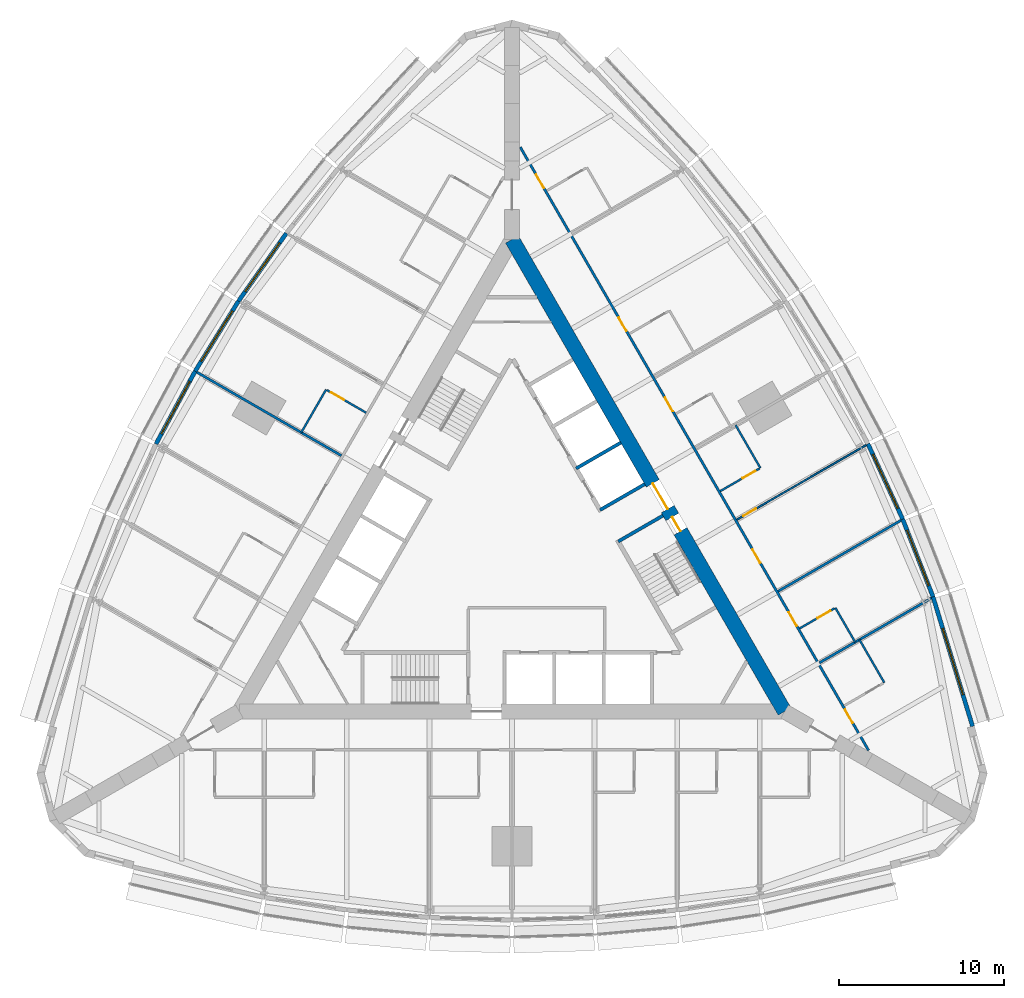
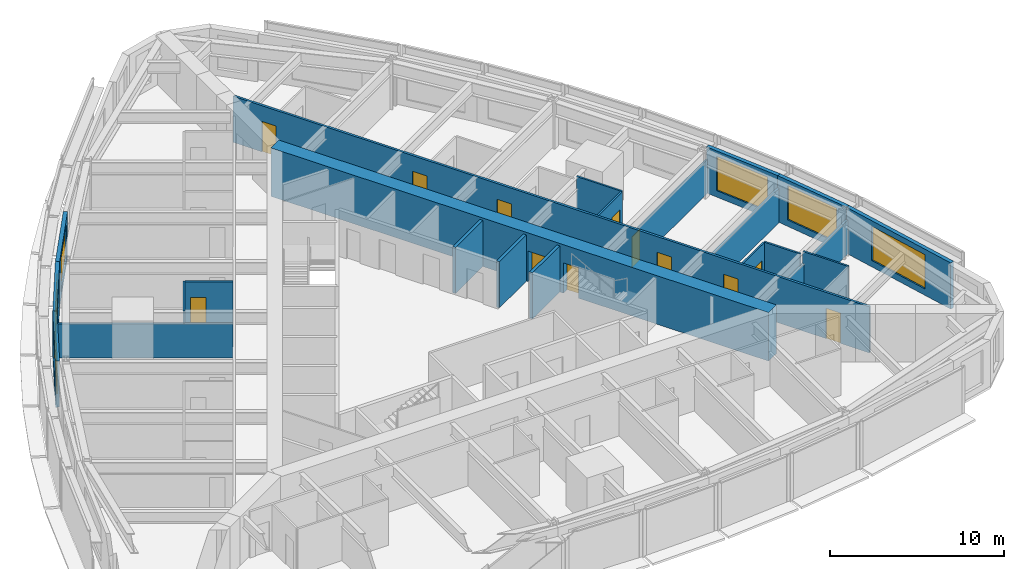
# One storey, part 11 of 14: 22 walls, 12 doors, 6 windows, 18 openings.
"""IFC4 building model written with IfcOpenShell, lengths in metres."""

from ifc_helpers import new_model, si_unit, direction, frame, frame_2d, origin, place, context, subcontext, project, spatial, rectangle, extrude, material, layer, layer_set, type_object, element, fill, save


model = new_model("IFC4")

# Units and contexts
model_context = context("Model", 3, precision=1e-05, world=origin(), true_north=direction((0.0, 1.0)))
body_context = subcontext(model_context, "Body", "Model", "MODEL_VIEW")
ifc_project = project(units=[si_unit("LENGTHUNIT", "METRE"), si_unit("AREAUNIT", "SQUARE_METRE"), si_unit("VOLUMEUNIT", "CUBIC_METRE"), si_unit("PLANEANGLEUNIT", "RADIAN"), si_unit("MASSUNIT", "GRAM", prefix="KILO")], contexts=[model_context])

# Site, building, storey
site_placement = place(None, origin())
site = spatial("IfcSite", under=ifc_project, at=site_placement, CompositionType="ELEMENT")
building_placement = place(site_placement, origin())
building = spatial("IfcBuilding", under=site, at=building_placement, Name="Trikona Tower", CompositionType="ELEMENT")
storey_placement = place(building_placement, frame((0.0, 0.0, 86.300048828125)))
storey = spatial("IfcBuildingStorey", under=building, at=storey_placement, Name="L22", CompositionType="ELEMENT", Elevation=86.300048828125)

# Walls
ifc_material_1 = material(Name="Metal stud and cement board", Category="gypsum")
ifc_layer_1 = layer(ifc_material_1, 0.1201171875)
ifc_layer_set_1 = layer_set([ifc_layer_1], Name="Bathroom wall 120")
wall_type_1 = type_object("IfcWallType", Name="Bathroom wall 120", PredefinedType="PLUMBINGWALL", material=ifc_layer_set_1)
wall_1_placement = place(storey_placement, frame((22.53271484375, -7.775390625, 0.0), z_axis=(0.0, 0.0, 1.0), x_axis=(-0.499990139034, 0.866031096941, 0.0)))
element("IfcWall", 1, at=wall_1_placement, inside=storey, type_object=wall_type_1, Name="Bathroom wall 2207", PredefinedType="PLUMBINGWALL", context=body_context, shape_type="SweptSolid", body=[
    extrude(rectangle(XDim=3.0, YDim=0.1201171875, at=frame_2d((1.5, 0.0))), origin(), (0.0, 0.0, 1.0), 3.23486328125),
])
wall_2_placement = place(storey_placement, frame((20.77294921875, -5.3271484375, 0.0), z_axis=(0.0, 0.0, 1.0), x_axis=(-0.500001309137, 0.866024647952, 0.0)))
element("IfcWall", 2, at=wall_2_placement, inside=storey, type_object=wall_type_1, Name="Bathroom wall 2208", PredefinedType="PLUMBINGWALL", context=body_context, shape_type="SweptSolid", body=[
    extrude(rectangle(XDim=2.39990234375, YDim=0.1201171875, at=frame_2d((1.199951171875, 0.0))), origin(), (0.0, 0.0, 1.0), 3.23486328125),
])

# Wall, opening, door
wall_3_placement = place(storey_placement, frame((17.407958984375, -4.498779296875, 0.0), z_axis=(0.0, 0.0, 1.0), x_axis=(0.866023955769, 0.500002508028, 0.0)))
wall_3 = element("IfcWall", 3, at=wall_3_placement, inside=storey, type_object=wall_type_1, Name="Bathroom wall 2208", PredefinedType="PLUMBINGWALL", context=body_context, shape_type="SweptSolid", body=[
    extrude(rectangle(XDim=2.43994140625, YDim=0.1201171875, at=frame_2d((1.219970703125, 0.0))), origin(), (0.0, 0.0, 1.0), 3.23486328125),
])
opening_1_placement = place(wall_3_placement, frame((1.25, 0.0, 0.0)))
opening_1 = element("IfcOpeningElement", 4, at=opening_1_placement, cuts=wall_3, Name="Opening D2", PredefinedType="OPENING", context=body_context, shape_type="SweptSolid", body=[
    extrude(rectangle(XDim=0.89990234375, YDim=2.1298828125, at=frame_2d((0.449951171875, 1.06494140625))), frame((0.0, 0.070068359375, 0.0), z_axis=(0.0, -1.0, 0.0), x_axis=(1.0, 0.0, 0.0)), (0.0, 0.0, 1.0), 0.14013671875),
])
ifc_material_2 = material(Name="Steel door frame with solid-core timber leaf", Category="steel")
door_type_1 = type_object("IfcDoorType", Name="Bathroom door 900x2130", OperationType="SLIDING_TO_LEFT", PredefinedType="DOOR", material=ifc_material_2)
door_1_placement = place(opening_1_placement, origin())
door_1 = element("IfcDoor", 5, at=door_1_placement, inside=storey, type_object=door_type_1, Name="Bathroom door 2208", OperationType="SLIDING_TO_LEFT", OverallHeight=2.1298828125, OverallWidth=0.89990234375, PredefinedType="DOOR", context=body_context, shape_type="SweptSolid", body=[
    extrude(rectangle(XDim=0.89990234375, YDim=2.1298828125, at=frame_2d((0.449951171875, 1.06494140625))), frame((0.0, 0.02490234375, 0.0), z_axis=(0.0, -1.0, 0.0), x_axis=(1.0, 0.0, 0.0)), (0.0, 0.0, 1.0), 0.050048828125),
])
fill(opening_1, door_1)

# Wall
wall_4_placement = place(storey_placement, frame((15.03271484375, 5.215087890625, 0.0), z_axis=(0.0, 0.0, 1.0), x_axis=(-0.50002537861, 0.866010750942, 0.0)))
element("IfcWall", 6, at=wall_4_placement, inside=storey, type_object=wall_type_1, Name="Bathroom wall 2209.1", PredefinedType="PLUMBINGWALL", context=body_context, shape_type="SweptSolid", body=[
    extrude(rectangle(XDim=2.999755859375, YDim=0.1201171875, at=frame_2d((1.5, 0.0))), origin(), (0.0, 0.0, 1.0), 3.23486328125),
])

# Wall, opening, door
wall_5_placement = place(storey_placement, frame((12.60791015625, 3.815185546875, 0.0), z_axis=(0.0, 0.0, 1.0), x_axis=(0.866035715982, 0.499982138324, 0.0)))
wall_5 = element("IfcWall", 7, at=wall_5_placement, inside=storey, type_object=wall_type_1, Name="Bathroom wall 2209.1", PredefinedType="PLUMBINGWALL", context=body_context, shape_type="SweptSolid", body=[
    extrude(rectangle(XDim=2.73974609375, YDim=0.1201171875, at=frame_2d((1.369873046875, 0.0))), origin(), (0.0, 0.0, 1.0), 3.23486328125),
])
opening_2_placement = place(wall_5_placement, frame((1.550048828125, 0.0, 0.0)))
opening_2 = element("IfcOpeningElement", 8, at=opening_2_placement, cuts=wall_5, Name="Opening D2", PredefinedType="OPENING", context=body_context, shape_type="SweptSolid", body=[
    extrude(rectangle(XDim=0.89990234375, YDim=2.1298828125, at=frame_2d((0.449951171875, 1.06494140625))), frame((0.0, 0.070068359375, 0.0), z_axis=(0.0, -1.0, 0.0), x_axis=(1.0, 0.0, 0.0)), (0.0, 0.0, 1.0), 0.14013671875),
])
door_2_placement = place(opening_2_placement, origin())
door_2 = element("IfcDoor", 9, at=door_2_placement, inside=storey, type_object=door_type_1, Name="Bathroom door 2209.1", OperationType="SLIDING_TO_LEFT", OverallHeight=2.1298828125, OverallWidth=0.89990234375, PredefinedType="DOOR", context=body_context, shape_type="SweptSolid", body=[
    extrude(rectangle(XDim=0.89990234375, YDim=2.1298828125, at=frame_2d((0.449951171875, 1.06494140625))), frame((0.0, 0.02490234375, 0.0), z_axis=(0.0, -1.0, 0.0), x_axis=(1.0, 0.0, 0.0)), (0.0, 0.0, 1.0), 0.050048828125),
])
fill(opening_2, door_2)

# Wall
wall_6_placement = place(storey_placement, frame((-11.25341796875, 9.961181640625, 0.0), z_axis=(0.0, 0.0, 1.0), x_axis=(-0.499990139034, -0.866031096941, 0.0)))
element("IfcWall", 10, at=wall_6_placement, inside=storey, type_object=wall_type_1, Name="Bathroom wall 2214.2", PredefinedType="PLUMBINGWALL", context=body_context, shape_type="SweptSolid", body=[
    extrude(rectangle(XDim=3.0, YDim=0.1201171875, at=frame_2d((1.5, 0.0))), origin(), (0.0, 0.0, 1.0), 3.23486328125),
])

# Wall, opening, door
wall_7_placement = place(storey_placement, frame((-8.82861328125, 8.561279296875, 0.0), z_axis=(0.0, 0.0, 1.0), x_axis=(-0.866035715982, 0.499982138324, 0.0)))
wall_7 = element("IfcWall", 11, at=wall_7_placement, inside=storey, type_object=wall_type_1, Name="Bathroom wall 2214.2", PredefinedType="PLUMBINGWALL", context=body_context, shape_type="SweptSolid", body=[
    extrude(rectangle(XDim=2.73974609375, YDim=0.1201171875, at=frame_2d((1.369873046875, 0.0))), origin(), (0.0, 0.0, 1.0), 3.23486328125),
])
opening_3_placement = place(wall_7_placement, frame((1.550048828125, 0.0, 0.0)))
opening_3 = element("IfcOpeningElement", 12, at=opening_3_placement, cuts=wall_7, Name="Opening D2", PredefinedType="OPENING", context=body_context, shape_type="SweptSolid", body=[
    extrude(rectangle(XDim=0.89990234375, YDim=2.1298828125, at=frame_2d((0.449951171875, 1.06494140625))), frame((0.0, 0.070068359375, 0.0), z_axis=(0.0, -1.0, 0.0), x_axis=(1.0, 0.0, 0.0)), (0.0, 0.0, 1.0), 0.14013671875),
])
door_3_placement = place(opening_3_placement, origin())
door_3 = element("IfcDoor", 13, at=door_3_placement, inside=storey, type_object=door_type_1, Name="Bathroom door 2214.2", OperationType="SLIDING_TO_LEFT", OverallHeight=2.1298828125, OverallWidth=0.89990234375, PredefinedType="DOOR", context=body_context, shape_type="SweptSolid", body=[
    extrude(rectangle(XDim=0.89990234375, YDim=2.1298828125, at=frame_2d((0.449951171875, 1.06494140625))), frame((0.0, 0.02490234375, 0.0), z_axis=(0.0, -1.0, 0.0), x_axis=(1.0, 0.0, 0.0)), (0.0, 0.0, 1.0), 0.050048828125),
])
fill(opening_3, door_3)

# Wall, openings, doors
ifc_material_3 = material(Name="Concrete f'c 10000 psi", Category="concrete")
ifc_layer_2 = layer(ifc_material_3, 0.89990234375)
ifc_layer_set_2 = layer_set([ifc_layer_2], Name="Core wall 900")
wall_type_2 = type_object("IfcWallType", Name="Core wall 900", PredefinedType="SHEAR", material=ifc_layer_set_2)
wall_8_placement = place(storey_placement, frame((16.5, -9.5263671875, 0.0), z_axis=(0.0, 0.0, 1.0), x_axis=(-0.499999749417, 0.866025548458, 0.0)))
wall_8 = element("IfcWall", 14, at=wall_8_placement, inside=storey, type_object=wall_type_2, Name="Core wall B", PredefinedType="SHEAR", context=body_context, shape_type="SweptSolid", body=[
    extrude(rectangle(XDim=33.0, YDim=0.89990234375, at=frame_2d((16.5, 0.0))), origin(), (0.0, 0.0, 1.0), 3.39990234375),
])
opening_4_placement = place(wall_8_placement, frame((14.14990234375, 0.0, 0.0)))
opening_4 = element("IfcOpeningElement", 15, at=opening_4_placement, cuts=wall_8, Name="Opening D6", PredefinedType="OPENING", context=body_context, shape_type="SweptSolid", body=[
    extrude(rectangle(XDim=1.800048828125, YDim=2.1298828125, at=frame_2d((0.89990234375, 1.06494140625))), frame((0.0, 0.4599609375, 0.0), z_axis=(0.0, -1.0, 0.0), x_axis=(1.0, 0.0, 0.0)), (0.0, 0.0, 1.0), 0.919921875),
])
opening_5_placement = place(wall_8_placement, frame((12.60009765625, 0.0, 0.0)))
opening_5 = element("IfcOpeningElement", 16, at=opening_5_placement, cuts=wall_8, Name="Opening D5", PredefinedType="OPENING", context=body_context, shape_type="SweptSolid", body=[
    extrude(rectangle(XDim=1.0, YDim=2.1298828125, at=frame_2d((0.5, 1.06494140625))), frame((0.0, 0.4599609375, 0.0), z_axis=(0.0, -1.0, 0.0), x_axis=(1.0, 0.0, 0.0)), (0.0, 0.0, 1.0), 0.919921875),
])
ifc_material_4 = material(Name="Hollow metal door and frame", Category="steel")
door_type_2 = type_object("IfcDoorType", Name="Lobby door pair 1800x2130", OperationType="DOUBLE_DOOR_SINGLE_SWING", PredefinedType="DOOR", material=ifc_material_4)
door_4_placement = place(opening_4_placement, origin())
door_4 = element("IfcDoor", 17, at=door_4_placement, inside=storey, type_object=door_type_2, Name="Lift lobby door B", OperationType="DOUBLE_DOOR_SINGLE_SWING", OverallHeight=2.1298828125, OverallWidth=1.800048828125, PredefinedType="DOOR", context=body_context, shape_type="SweptSolid", body=[
    extrude(rectangle(XDim=1.800048828125, YDim=2.1298828125, at=frame_2d((0.89990234375, 1.06494140625))), frame((0.0, 0.02490234375, 0.0), z_axis=(0.0, -1.0, 0.0), x_axis=(1.0, 0.0, 0.0)), (0.0, 0.0, 1.0), 0.050048828125),
])
fill(opening_4, door_4)
ifc_material_5 = material(Name="Hollow metal door and frame", Category="steel")
door_type_3 = type_object("IfcDoorType", Name="Stair door 1000x2130", OperationType="SINGLE_SWING_LEFT", PredefinedType="DOOR", material=ifc_material_5)
door_5_placement = place(opening_5_placement, origin())
door_5 = element("IfcDoor", 18, at=door_5_placement, inside=storey, type_object=door_type_3, Name="Stair B door", OperationType="SINGLE_SWING_RIGHT", OverallHeight=2.1298828125, OverallWidth=1.0, PredefinedType="DOOR", context=body_context, shape_type="SweptSolid", body=[
    extrude(rectangle(XDim=1.0, YDim=2.1298828125, at=frame_2d((0.5, 1.06494140625))), frame((0.0, 0.02490234375, 0.0), z_axis=(0.0, -1.0, 0.0), x_axis=(1.0, 0.0, 0.0)), (0.0, 0.0, 1.0), 0.050048828125),
])
fill(opening_5, door_5)

ifc_material_6 = material(Name="Metal stud and gypsum board, 1-hour", Category="gypsum")
ifc_layer_3 = layer(ifc_material_6, 0.14990234375)
ifc_layer_set_3 = layer_set([ifc_layer_3], Name="Corridor wall 150")
wall_type_3 = type_object("IfcWallType", Name="Corridor wall 150", PredefinedType="PARTITIONING", material=ifc_layer_set_3)
wall_9_placement = place(storey_placement, frame((21.5859375, -11.88525390625, 0.0), z_axis=(0.0, 0.0, 1.0), x_axis=(-0.500001915564, 0.86602429783, 0.0)))
wall_9 = element("IfcWall", 19, at=wall_9_placement, inside=storey, type_object=wall_type_3, Name="Corridor wall L22-2", PredefinedType="PARTITIONING", context=body_context, shape_type="SweptSolid", body=[
    extrude(rectangle(XDim=42.171630859375, YDim=0.14990234375, at=frame_2d((21.0859375, 0.0))), origin(), (0.0, 0.0, 1.0), 3.23486328125),
])
opening_6_placement = place(wall_9_placement, frame((1.910888671875, 0.0, 0.0)))
opening_6 = element("IfcOpeningElement", 20, at=opening_6_placement, cuts=wall_9, Name="Opening D1", PredefinedType="OPENING", context=body_context, shape_type="SweptSolid", body=[
    extrude(rectangle(XDim=0.949951171875, YDim=2.1298828125, at=frame_2d((0.47509765625, 1.06494140625))), frame((0.0, 0.0849609375, 0.0), z_axis=(0.0, -1.0, 0.0), x_axis=(1.0, 0.0, 0.0)), (0.0, 0.0, 1.0), 0.169921875),
])
opening_7_placement = place(wall_9_placement, frame((8.7109375, 0.0, 0.0)))
opening_7 = element("IfcOpeningElement", 21, at=opening_7_placement, cuts=wall_9, Name="Opening D1", PredefinedType="OPENING", context=body_context, shape_type="SweptSolid", body=[
    extrude(rectangle(XDim=0.949951171875, YDim=2.1298828125, at=frame_2d((0.47509765625, 1.06494140625))), frame((0.0, 0.0849609375, 0.0), z_axis=(0.0, -1.0, 0.0), x_axis=(1.0, 0.0, 0.0)), (0.0, 0.0, 1.0), 0.169921875),
])
opening_8_placement = place(wall_9_placement, frame((13.11083984375, 0.0, 0.0)))
opening_8 = element("IfcOpeningElement", 22, at=opening_8_placement, cuts=wall_9, Name="Opening D1", PredefinedType="OPENING", context=body_context, shape_type="SweptSolid", body=[
    extrude(rectangle(XDim=0.949951171875, YDim=2.1298828125, at=frame_2d((0.47509765625, 1.06494140625))), frame((0.0, 0.0849609375, 0.0), z_axis=(0.0, -1.0, 0.0), x_axis=(1.0, 0.0, 0.0)), (0.0, 0.0, 1.0), 0.169921875),
])
opening_9_placement = place(wall_9_placement, frame((23.7109375, 0.0, 0.0)))
opening_9 = element("IfcOpeningElement", 23, at=opening_9_placement, cuts=wall_9, Name="Opening D1", PredefinedType="OPENING", context=body_context, shape_type="SweptSolid", body=[
    extrude(rectangle(XDim=0.949951171875, YDim=2.1298828125, at=frame_2d((0.47509765625, 1.06494140625))), frame((0.0, 0.0849609375, 0.0), z_axis=(0.0, -1.0, 0.0), x_axis=(1.0, 0.0, 0.0)), (0.0, 0.0, 1.0), 0.169921875),
])
opening_10_placement = place(wall_9_placement, frame((29.310791015625, 0.0, 0.0)))
opening_10 = element("IfcOpeningElement", 24, at=opening_10_placement, cuts=wall_9, Name="Opening D1", PredefinedType="OPENING", context=body_context, shape_type="SweptSolid", body=[
    extrude(rectangle(XDim=0.949951171875, YDim=2.1298828125, at=frame_2d((0.47509765625, 1.06494140625))), frame((0.0, 0.0849609375, 0.0), z_axis=(0.0, -1.0, 0.0), x_axis=(1.0, 0.0, 0.0)), (0.0, 0.0, 1.0), 0.169921875),
])
opening_11_placement = place(wall_9_placement, frame((39.310791015625, 0.0, 0.0)))
opening_11 = element("IfcOpeningElement", 25, at=opening_11_placement, cuts=wall_9, Name="Opening D1", PredefinedType="OPENING", context=body_context, shape_type="SweptSolid", body=[
    extrude(rectangle(XDim=0.949951171875, YDim=2.1298828125, at=frame_2d((0.47509765625, 1.06494140625))), frame((0.0, 0.0849609375, 0.0), z_axis=(0.0, -1.0, 0.0), x_axis=(1.0, 0.0, 0.0)), (0.0, 0.0, 1.0), 0.169921875),
])
ifc_material_7 = material(Name="Steel door frame with solid-core timber leaf", Category="steel")
door_type_4 = type_object("IfcDoorType", Name="Guest room door 950x2130", OperationType="SINGLE_SWING_LEFT", PredefinedType="DOOR", material=ifc_material_7)
door_6_placement = place(opening_6_placement, origin())
door_6 = element("IfcDoor", 26, at=door_6_placement, inside=storey, type_object=door_type_4, Name="Room door 2207", OperationType="SINGLE_SWING_LEFT", OverallHeight=2.1298828125, OverallWidth=0.949951171875, PredefinedType="DOOR", context=body_context, shape_type="SweptSolid", body=[
    extrude(rectangle(XDim=0.949951171875, YDim=2.1298828125, at=frame_2d((0.47509765625, 1.06494140625))), frame((0.0, 0.02490234375, 0.0), z_axis=(0.0, -1.0, 0.0), x_axis=(1.0, 0.0, 0.0)), (0.0, 0.0, 1.0), 0.050048828125),
])
fill(opening_6, door_6)
door_7_placement = place(opening_7_placement, origin())
door_7 = element("IfcDoor", 27, at=door_7_placement, inside=storey, type_object=door_type_4, Name="Room door 2208", OperationType="SINGLE_SWING_RIGHT", OverallHeight=2.1298828125, OverallWidth=0.949951171875, PredefinedType="DOOR", context=body_context, shape_type="SweptSolid", body=[
    extrude(rectangle(XDim=0.949951171875, YDim=2.1298828125, at=frame_2d((0.47509765625, 1.06494140625))), frame((0.0, 0.02490234375, 0.0), z_axis=(0.0, -1.0, 0.0), x_axis=(1.0, 0.0, 0.0)), (0.0, 0.0, 1.0), 0.050048828125),
])
fill(opening_7, door_7)
door_8_placement = place(opening_8_placement, origin())
door_8 = element("IfcDoor", 28, at=door_8_placement, inside=storey, type_object=door_type_4, Name="Room door 2209", OperationType="SINGLE_SWING_LEFT", OverallHeight=2.1298828125, OverallWidth=0.949951171875, PredefinedType="DOOR", context=body_context, shape_type="SweptSolid", body=[
    extrude(rectangle(XDim=0.949951171875, YDim=2.1298828125, at=frame_2d((0.47509765625, 1.06494140625))), frame((0.0, 0.02490234375, 0.0), z_axis=(0.0, -1.0, 0.0), x_axis=(1.0, 0.0, 0.0)), (0.0, 0.0, 1.0), 0.050048828125),
])
fill(opening_8, door_8)
door_9_placement = place(opening_9_placement, origin())
door_9 = element("IfcDoor", 29, at=door_9_placement, inside=storey, type_object=door_type_4, Name="Room door 2210", OperationType="SINGLE_SWING_RIGHT", OverallHeight=2.1298828125, OverallWidth=0.949951171875, PredefinedType="DOOR", context=body_context, shape_type="SweptSolid", body=[
    extrude(rectangle(XDim=0.949951171875, YDim=2.1298828125, at=frame_2d((0.47509765625, 1.06494140625))), frame((0.0, 0.02490234375, 0.0), z_axis=(0.0, -1.0, 0.0), x_axis=(1.0, 0.0, 0.0)), (0.0, 0.0, 1.0), 0.050048828125),
])
fill(opening_9, door_9)
door_10_placement = place(opening_10_placement, origin())
door_10 = element("IfcDoor", 30, at=door_10_placement, inside=storey, type_object=door_type_4, Name="Room door 2211", OperationType="SINGLE_SWING_LEFT", OverallHeight=2.1298828125, OverallWidth=0.949951171875, PredefinedType="DOOR", context=body_context, shape_type="SweptSolid", body=[
    extrude(rectangle(XDim=0.949951171875, YDim=2.1298828125, at=frame_2d((0.47509765625, 1.06494140625))), frame((0.0, 0.02490234375, 0.0), z_axis=(0.0, -1.0, 0.0), x_axis=(1.0, 0.0, 0.0)), (0.0, 0.0, 1.0), 0.050048828125),
])
fill(opening_10, door_10)
door_11_placement = place(opening_11_placement, origin())
door_11 = element("IfcDoor", 31, at=door_11_placement, inside=storey, type_object=door_type_4, Name="Room door 2212", OperationType="SINGLE_SWING_RIGHT", OverallHeight=2.1298828125, OverallWidth=0.949951171875, PredefinedType="DOOR", context=body_context, shape_type="SweptSolid", body=[
    extrude(rectangle(XDim=0.949951171875, YDim=2.1298828125, at=frame_2d((0.47509765625, 1.06494140625))), frame((0.0, 0.02490234375, 0.0), z_axis=(0.0, -1.0, 0.0), x_axis=(1.0, 0.0, 0.0)), (0.0, 0.0, 1.0), 0.050048828125),
])
fill(opening_11, door_11)

# Wall, opening, window
ifc_material_8 = material(Name="Insulated precast concrete spandrel panel", Category="concrete")
ifc_layer_4 = layer(ifc_material_8, 0.25)
ifc_layer_set_4 = layer_set([ifc_layer_4], Name="Inner skin wall 250")
wall_type_4 = type_object("IfcWallType", Name="Inner skin wall 250", PredefinedType="STANDARD", material=ifc_layer_set_4)
wall_10_placement = place(storey_placement, frame((27.88037109375, -10.4287109375, 0.0), z_axis=(0.0, 0.0, 1.0), x_axis=(-0.2919790669, 0.956424709265, 0.0)))
wall_10 = element("IfcWall", 32, at=wall_10_placement, inside=storey, type_object=wall_type_4, Name="External wall L22-12", PredefinedType="STANDARD", context=body_context, shape_type="SweptSolid", body=[
    extrude(rectangle(XDim=8.211181640625, YDim=0.25, at=frame_2d((4.10546875, 0.0))), origin(), (0.0, 0.0, 1.0), 3.23486328125),
])
opening_12_placement = place(wall_10_placement, frame((2.005615234375, 0.0, 0.449951171875)))
opening_12 = element("IfcOpeningElement", 33, at=opening_12_placement, cuts=wall_10, Name="Opening W4224", PredefinedType="OPENING", context=body_context, shape_type="SweptSolid", body=[
    extrude(rectangle(XDim=4.199951171875, YDim=2.39990234375, at=frame_2d((2.10009765625, 1.199951171875))), frame((0.0, 0.135009765625, 0.0), z_axis=(0.0, -1.0, 0.0), x_axis=(1.0, 0.0, 0.0)), (0.0, 0.0, 1.0), 0.27001953125),
])
ifc_material_9 = material(Name="Aluminium-framed double glazing", Category="aluminium")
window_type_1 = type_object("IfcWindowType", Name="Window 4200x2400", PartitioningType="SINGLE_PANEL", PredefinedType="WINDOW", material=ifc_material_9)
window_1_placement = place(opening_12_placement, origin())
window_1 = element("IfcWindow", 34, at=window_1_placement, inside=storey, type_object=window_type_1, Name="Window 2207", OverallHeight=2.39990234375, OverallWidth=4.199951171875, PartitioningType="SINGLE_PANEL", PredefinedType="WINDOW", context=body_context, shape_type="SweptSolid", body=[
    extrude(rectangle(XDim=4.199951171875, YDim=2.39990234375, at=frame_2d((2.10009765625, 1.199951171875))), frame((0.0, 0.030029296875, 0.0), z_axis=(0.0, -1.0, 0.0), x_axis=(1.0, 0.0, 0.0)), (0.0, 0.0, 1.0), 0.06005859375),
])
fill(opening_12, window_1)

wall_11_placement = place(storey_placement, frame((25.486083984375, -2.58447265625, 0.0), z_axis=(0.0, 0.0, 1.0), x_axis=(-0.364013463868, 0.931393685894, 0.0)))
wall_11 = element("IfcWall", 35, at=wall_11_placement, inside=storey, type_object=wall_type_4, Name="External wall L22-13", PredefinedType="STANDARD", context=body_context, shape_type="SweptSolid", body=[
    extrude(rectangle(XDim=5.0576171875, YDim=0.25, at=frame_2d((2.52880859375, 0.0))), origin(), (0.0, 0.0, 1.0), 3.23486328125),
])
opening_13_placement = place(wall_11_placement, frame((0.728759765625, 0.0, 0.449951171875)))
opening_13 = element("IfcOpeningElement", 36, at=opening_13_placement, cuts=wall_11, Name="Opening W3624", PredefinedType="OPENING", context=body_context, shape_type="SweptSolid", body=[
    extrude(rectangle(XDim=3.60009765625, YDim=2.39990234375, at=frame_2d((1.800048828125, 1.199951171875))), frame((0.0, 0.135009765625, 0.0), z_axis=(0.0, -1.0, 0.0), x_axis=(1.0, 0.0, 0.0)), (0.0, 0.0, 1.0), 0.27001953125),
])
ifc_material_10 = material(Name="Aluminium-framed double glazing", Category="aluminium")
window_type_2 = type_object("IfcWindowType", Name="Window 3600x2400", PartitioningType="SINGLE_PANEL", PredefinedType="WINDOW", material=ifc_material_10)
window_2_placement = place(opening_13_placement, origin())
window_2 = element("IfcWindow", 37, at=window_2_placement, inside=storey, type_object=window_type_2, Name="Window 2208", OverallHeight=2.39990234375, OverallWidth=3.60009765625, PartitioningType="SINGLE_PANEL", PredefinedType="WINDOW", context=body_context, shape_type="SweptSolid", body=[
    extrude(rectangle(XDim=3.60009765625, YDim=2.39990234375, at=frame_2d((1.800048828125, 1.199951171875))), frame((0.0, 0.030029296875, 0.0), z_axis=(0.0, -1.0, 0.0), x_axis=(1.0, 0.0, 0.0)), (0.0, 0.0, 1.0), 0.06005859375),
])
fill(opening_13, window_2)

wall_12_placement = place(storey_placement, frame((23.64794921875, 2.119384765625, 0.0), z_axis=(0.0, 0.0, 1.0), x_axis=(-0.419203100754, 0.907892482796, 0.0)))
wall_12 = element("IfcWall", 38, at=wall_12_placement, inside=storey, type_object=wall_type_4, Name="External wall L22-14", PredefinedType="STANDARD", context=body_context, shape_type="SweptSolid", body=[
    extrude(rectangle(XDim=5.020751953125, YDim=0.25, at=frame_2d((2.51025390625, 0.0))), origin(), (0.0, 0.0, 1.0), 3.23486328125),
])
opening_14_placement = place(wall_12_placement, frame((0.71044921875, 0.0, 0.449951171875)))
opening_14 = element("IfcOpeningElement", 39, at=opening_14_placement, cuts=wall_12, Name="Opening W3624", PredefinedType="OPENING", context=body_context, shape_type="SweptSolid", body=[
    extrude(rectangle(XDim=3.60009765625, YDim=2.39990234375, at=frame_2d((1.800048828125, 1.199951171875))), frame((0.0, 0.135009765625, 0.0), z_axis=(0.0, -1.0, 0.0), x_axis=(1.0, 0.0, 0.0)), (0.0, 0.0, 1.0), 0.27001953125),
])
window_3_placement = place(opening_14_placement, origin())
window_3 = element("IfcWindow", 40, at=window_3_placement, inside=storey, type_object=window_type_2, Name="Window 2209", OverallHeight=2.39990234375, OverallWidth=3.60009765625, PartitioningType="SINGLE_PANEL", PredefinedType="WINDOW", context=body_context, shape_type="SweptSolid", body=[
    extrude(rectangle(XDim=3.60009765625, YDim=2.39990234375, at=frame_2d((1.800048828125, 1.199951171875))), frame((0.0, 0.030029296875, 0.0), z_axis=(0.0, -1.0, 0.0), x_axis=(1.0, 0.0, 0.0)), (0.0, 0.0, 1.0), 0.06005859375),
])
fill(opening_14, window_3)

wall_13_placement = place(storey_placement, frame((-13.659423828125, 19.420166015625, 0.0), z_axis=(0.0, 0.0, 1.0), x_axis=(-0.5766431066, -0.81699616132, 0.0)))
wall_13 = element("IfcWall", 41, at=wall_13_placement, inside=storey, type_object=wall_type_4, Name="External wall L22-26", PredefinedType="STANDARD", context=body_context, shape_type="SweptSolid", body=[
    extrude(rectangle(XDim=5.02099609375, YDim=0.25, at=frame_2d((2.510498046875, 0.0))), origin(), (0.0, 0.0, 1.0), 3.23486328125),
])
opening_15_placement = place(wall_13_placement, frame((0.71044921875, 0.0, 0.449951171875)))
opening_15 = element("IfcOpeningElement", 42, at=opening_15_placement, cuts=wall_13, Name="Opening W3624", PredefinedType="OPENING", context=body_context, shape_type="SweptSolid", body=[
    extrude(rectangle(XDim=3.60009765625, YDim=2.39990234375, at=frame_2d((1.800048828125, 1.199951171875))), frame((0.0, 0.135009765625, 0.0), z_axis=(0.0, -1.0, 0.0), x_axis=(1.0, 0.0, 0.0)), (0.0, 0.0, 1.0), 0.27001953125),
])
window_4_placement = place(opening_15_placement, origin())
window_4 = element("IfcWindow", 43, at=window_4_placement, inside=storey, type_object=window_type_2, Name="Window 2214", OverallHeight=2.39990234375, OverallWidth=3.60009765625, PartitioningType="SINGLE_PANEL", PredefinedType="WINDOW", context=body_context, shape_type="SweptSolid", body=[
    extrude(rectangle(XDim=3.60009765625, YDim=2.39990234375, at=frame_2d((1.800048828125, 1.199951171875))), frame((0.0, 0.030029296875, 0.0), z_axis=(0.0, -1.0, 0.0), x_axis=(1.0, 0.0, 0.0)), (0.0, 0.0, 1.0), 0.06005859375),
])
fill(opening_15, window_4)

wall_14_placement = place(storey_placement, frame((-16.550537109375, 15.324462890625, 0.0), z_axis=(0.0, 0.0, 1.0), x_axis=(-0.526132807704, -0.850402415717, 0.0)))
wall_14 = element("IfcWall", 44, at=wall_14_placement, inside=storey, type_object=wall_type_4, Name="External wall L22-27", PredefinedType="STANDARD", context=body_context, shape_type="SweptSolid", body=[
    extrude(rectangle(XDim=5.002197265625, YDim=0.25, at=frame_2d((2.5009765625, 0.0))), origin(), (0.0, 0.0, 1.0), 3.23486328125),
])
opening_16_placement = place(wall_14_placement, frame((0.701171875, 0.0, 0.449951171875)))
opening_16 = element("IfcOpeningElement", 45, at=opening_16_placement, cuts=wall_14, Name="Opening W3624", PredefinedType="OPENING", context=body_context, shape_type="SweptSolid", body=[
    extrude(rectangle(XDim=3.60009765625, YDim=2.39990234375, at=frame_2d((1.800048828125, 1.199951171875))), frame((0.0, 0.135009765625, 0.0), z_axis=(0.0, -1.0, 0.0), x_axis=(1.0, 0.0, 0.0)), (0.0, 0.0, 1.0), 0.27001953125),
])
window_5_placement = place(opening_16_placement, origin())
window_5 = element("IfcWindow", 46, at=window_5_placement, inside=storey, type_object=window_type_2, Name="Window 2214.2", OverallHeight=2.39990234375, OverallWidth=3.60009765625, PartitioningType="SINGLE_PANEL", PredefinedType="WINDOW", context=body_context, shape_type="SweptSolid", body=[
    extrude(rectangle(XDim=3.60009765625, YDim=2.39990234375, at=frame_2d((1.800048828125, 1.199951171875))), frame((0.0, 0.030029296875, 0.0), z_axis=(0.0, -1.0, 0.0), x_axis=(1.0, 0.0, 0.0)), (0.0, 0.0, 1.0), 0.06005859375),
])
fill(opening_16, window_5)

wall_15_placement = place(storey_placement, frame((-19.178466796875, 11.0771484375, 0.0), z_axis=(0.0, 0.0, 1.0), x_axis=(-0.473412820489, -0.880840678782, 0.0)))
wall_15 = element("IfcWall", 47, at=wall_15_placement, inside=storey, type_object=wall_type_4, Name="External wall L22-28", PredefinedType="STANDARD", context=body_context, shape_type="SweptSolid", body=[
    extrude(rectangle(XDim=5.00244140625, YDim=0.25, at=frame_2d((2.501220703125, 0.0))), origin(), (0.0, 0.0, 1.0), 3.23486328125),
])
opening_17_placement = place(wall_15_placement, frame((0.701171875, 0.0, 0.449951171875)))
opening_17 = element("IfcOpeningElement", 48, at=opening_17_placement, cuts=wall_15, Name="Opening W3624", PredefinedType="OPENING", context=body_context, shape_type="SweptSolid", body=[
    extrude(rectangle(XDim=3.60009765625, YDim=2.39990234375, at=frame_2d((1.800048828125, 1.199951171875))), frame((0.0, 0.135009765625, 0.0), z_axis=(0.0, -1.0, 0.0), x_axis=(1.0, 0.0, 0.0)), (0.0, 0.0, 1.0), 0.27001953125),
])
window_6_placement = place(opening_17_placement, origin())
window_6 = element("IfcWindow", 49, at=window_6_placement, inside=storey, type_object=window_type_2, Name="Window 2215", OverallHeight=2.39990234375, OverallWidth=3.60009765625, PartitioningType="SINGLE_PANEL", PredefinedType="WINDOW", context=body_context, shape_type="SweptSolid", body=[
    extrude(rectangle(XDim=3.60009765625, YDim=2.39990234375, at=frame_2d((1.800048828125, 1.199951171875))), frame((0.0, 0.030029296875, 0.0), z_axis=(0.0, -1.0, 0.0), x_axis=(1.0, 0.0, 0.0)), (0.0, 0.0, 1.0), 0.06005859375),
])
fill(opening_17, window_6)

# Walls
ifc_material_11 = material(Name="Metal stud and gypsum board, 1-hour acoustic", Category="gypsum")
ifc_layer_5 = layer(ifc_material_11, 0.14990234375)
ifc_layer_set_5 = layer_set([ifc_layer_5], Name="Party wall 150")
wall_type_5 = type_object("IfcWallType", Name="Party wall 150", PredefinedType="PARTITIONING", material=ifc_layer_set_5)
wall_16_placement = place(storey_placement, frame((18.60791015625, -6.5771484375, 0.0), z_axis=(0.0, 0.0, 1.0), x_axis=(0.866034818847, 0.499983692279, 0.0)))
element("IfcWall", 50, at=wall_16_placement, inside=storey, type_object=wall_type_5, Name="Partition L22 F2 u-15", PredefinedType="PARTITIONING", context=body_context, shape_type="SweptSolid", body=[
    extrude(rectangle(XDim=7.820068359375, YDim=0.14990234375, at=frame_2d((3.91015625, 0.0))), origin(), (0.0, 0.0, 1.0), 2.38916015625),
])
wall_17_placement = place(storey_placement, frame((16.10791015625, -2.2470703125, 0.0), z_axis=(0.0, 0.0, 1.0), x_axis=(0.866018881988, 0.500011295912, 0.0)))
element("IfcWall", 51, at=wall_17_placement, inside=storey, type_object=wall_type_5, Name="Partition L22 F2 u-10", PredefinedType="PARTITIONING", context=body_context, shape_type="SweptSolid", body=[
    extrude(rectangle(XDim=8.584716796875, YDim=0.14990234375, at=frame_2d((4.29248046875, 0.0))), origin(), (0.0, 0.0, 1.0), 2.38916015625),
])
wall_18_placement = place(storey_placement, frame((-10.32861328125, 5.963134765625, 0.0), z_axis=(0.0, 0.0, 1.0), x_axis=(-0.866021688545, 0.500006434927, 0.0)))
element("IfcWall", 52, at=wall_18_placement, inside=storey, type_object=wall_type_5, Name="Partition L22 F3 u-5.10703e-15", PredefinedType="PARTITIONING", context=body_context, shape_type="SweptSolid", body=[
    extrude(rectangle(XDim=10.095947265625, YDim=0.14990234375, at=frame_2d((5.0478515625, 0.0))), origin(), (0.0, 0.0, 1.0), 2.38916015625),
])
ifc_material_12 = material(Name="Concrete f'c 8000 psi", Category="concrete")
ifc_layer_6 = layer(ifc_material_12, 0.199951171875)
ifc_layer_set_6 = layer_set([ifc_layer_6], Name="Shaft wall 200")
wall_type_6 = type_object("IfcWallType", Name="Shaft wall 200", PredefinedType="SOLIDWALL", material=ifc_layer_set_6)
for number, where, z_axis, x_axis, name in (
    (53, (5.3291015625, 2.672607421875, 0.0), (0.0, 0.0, 1.0), (0.866022959057, 0.500004234368, 0.0), "Shaft wall B3"),
    (54, (3.87890625, 5.18408203125, 0.0), (0.0, 0.0, 1.0), (0.866022959057, 0.500004234368, 0.0), "Shaft wall B4"),
):
    element("IfcWall", number, at=place(storey_placement, frame(where, z_axis=z_axis, x_axis=x_axis)), inside=storey, type_object=wall_type_6, Name=name, PredefinedType="SOLIDWALL", context=body_context, shape_type="SweptSolid", body=[
        extrude(rectangle(XDim=3.125, YDim=0.199951171875, at=frame_2d((1.5625, 0.0))), origin(), (0.0, 0.0, 1.0), 3.23486328125),
    ])
ifc_material_13 = material(Name="Concrete f'c 8000 psi", Category="concrete")
ifc_layer_7 = layer(ifc_material_13, 0.199951171875)
ifc_layer_set_7 = layer_set([ifc_layer_7], Name="Shaft wall 200 load-bearing")
wall_type_7 = type_object("IfcWallType", Name="Shaft wall 200 load-bearing", PredefinedType="SOLIDWALL", material=ifc_layer_set_7)
wall_19_placement = place(storey_placement, frame((6.428955078125, 0.767333984375, 0.0), z_axis=(0.0, 0.0, 1.0), x_axis=(0.866022959057, 0.500004234368, 0.0)))
element("IfcWall", 55, at=wall_19_placement, inside=storey, type_object=wall_type_7, Name="Shaft wall B2", PredefinedType="SOLIDWALL", context=body_context, shape_type="SweptSolid", body=[
    extrude(rectangle(XDim=3.125, YDim=0.199951171875, at=frame_2d((1.5625, 0.0))), origin(), (0.0, 0.0, 1.0), 3.23486328125),
])

# Wall, opening, door
ifc_material_14 = material(Name="Metal stud and gypsum board, acoustic", Category="gypsum")
ifc_layer_8 = layer(ifc_material_14, 0.10009765625)
ifc_layer_set_8 = layer_set([ifc_layer_8], Name="Suite partition 100")
wall_type_8 = type_object("IfcWallType", Name="Suite partition 100", PredefinedType="PARTITIONING", material=ifc_layer_set_8)
wall_20_placement = place(storey_placement, frame((13.60791015625, 2.0830078125, 0.0), z_axis=(0.0, 0.0, 1.0), x_axis=(0.866028232062, 0.499995101247, 0.0)))
wall_20 = element("IfcWall", 56, at=wall_20_placement, inside=storey, type_object=wall_type_8, Name="Suite partition L22 F2 u-5", PredefinedType="PARTITIONING", context=body_context, shape_type="SweptSolid", body=[
    extrude(rectangle(XDim=9.04296875, YDim=0.10009765625, at=frame_2d((4.521484375, 0.0))), origin(), (0.0, 0.0, 1.0), 2.38916015625),
])
opening_18_placement = place(wall_20_placement, frame((0.449951171875, 0.0, 0.0)))
opening_18 = element("IfcOpeningElement", 57, at=opening_18_placement, cuts=wall_20, Name="Opening D13", PredefinedType="OPENING", context=body_context, shape_type="SweptSolid", body=[
    extrude(rectangle(XDim=0.89990234375, YDim=2.1298828125, at=frame_2d((0.449951171875, 1.06494140625))), frame((0.0, 0.06005859375, 0.0), z_axis=(0.0, -1.0, 0.0), x_axis=(1.0, 0.0, 0.0)), (0.0, 0.0, 1.0), 0.1201171875),
])
ifc_material_15 = material(Name="Steel door frame with solid-core timber leaf", Category="steel")
door_type_5 = type_object("IfcDoorType", Name="Suite door 900x2130", OperationType="SINGLE_SWING_LEFT", PredefinedType="DOOR", material=ifc_material_15)
door_12_placement = place(opening_18_placement, origin())
door_12 = element("IfcDoor", 58, at=door_12_placement, inside=storey, type_object=door_type_5, Name="Suite door 2209", OperationType="SINGLE_SWING_LEFT", OverallHeight=2.1298828125, OverallWidth=0.89990234375, PredefinedType="DOOR", context=body_context, shape_type="SweptSolid", body=[
    extrude(rectangle(XDim=0.89990234375, YDim=2.1298828125, at=frame_2d((0.449951171875, 1.06494140625))), frame((0.0, 0.02490234375, 0.0), z_axis=(0.0, -1.0, 0.0), x_axis=(1.0, 0.0, 0.0)), (0.0, 0.0, 1.0), 0.050048828125),
])
fill(opening_18, door_12)

save(model, "model.ifc")
